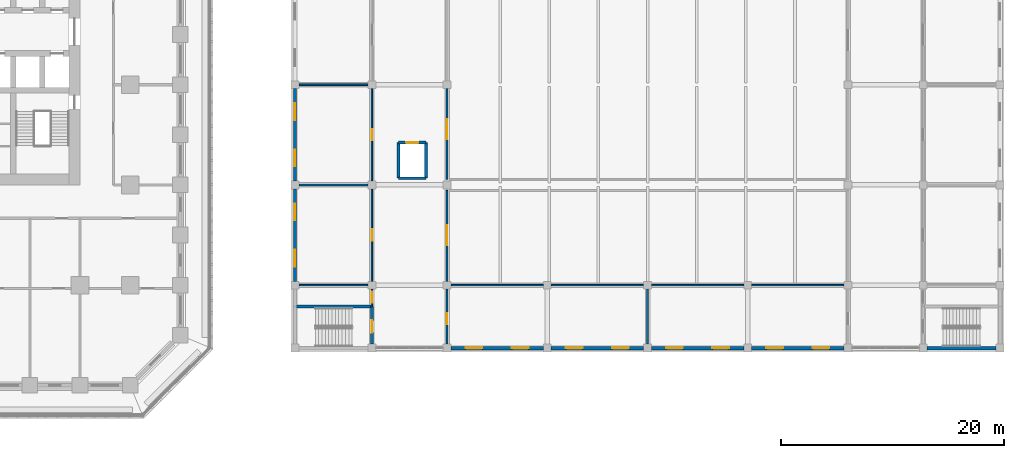
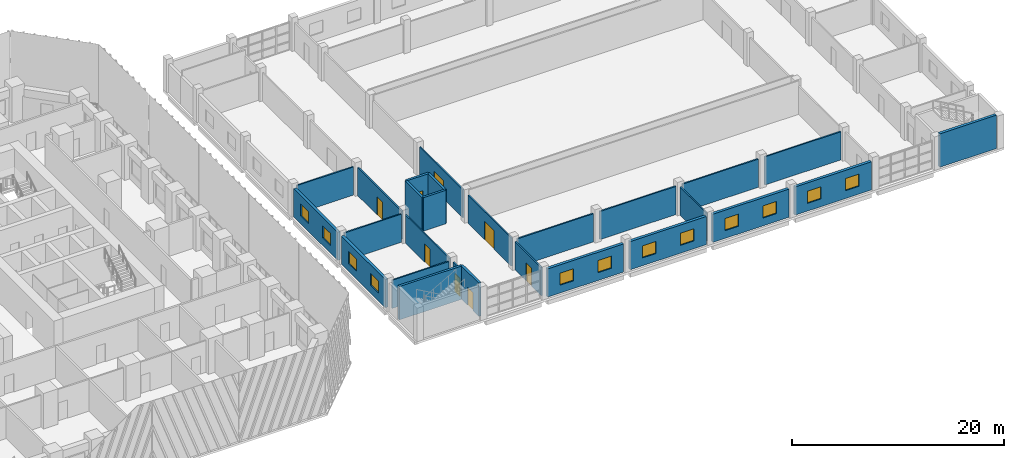
# One storey, part 17 of 31: 27 walls, 12 windows, 8 doors, 20 openings.
"""IFC4 building model written with IfcOpenShell, lengths in metres."""

from ifc_helpers import new_model, si_unit, direction, frame, frame_2d, origin, place, context, subcontext, project, spatial, rectangle, extrude, material, layer, layer_set, type_object, element, fill, save


model = new_model("IFC4")

# Units and contexts
model_context = context("Model", 3, precision=1e-05, world=origin(), true_north=direction((0.0, 1.0)))
body_context = subcontext(model_context, "Body", "Model", "MODEL_VIEW")
ifc_project = project(units=[si_unit("LENGTHUNIT", "METRE"), si_unit("AREAUNIT", "SQUARE_METRE"), si_unit("VOLUMEUNIT", "CUBIC_METRE"), si_unit("PLANEANGLEUNIT", "RADIAN"), si_unit("MASSUNIT", "GRAM", prefix="KILO")], contexts=[model_context])

# Site, building, storey
site_placement = place(None, origin())
site = spatial("IfcSite", under=ifc_project, at=site_placement, CompositionType="ELEMENT")
building_placement = place(site_placement, origin())
building = spatial("IfcBuilding", under=site, at=building_placement, Name="Corbel Stack Research Tower", CompositionType="ELEMENT")
storey_placement = place(building_placement, frame((0.0, 0.0, 15.39990234375)))
storey = spatial("IfcBuildingStorey", under=building, at=storey_placement, Name="L03", CompositionType="ELEMENT", Elevation=15.39990234375)

# Wall, openings, windows
ifc_material_1 = material(Name="Concrete C40/50", Category="concrete")
ifc_layer_1 = layer(ifc_material_1, 0.300048828125)
ifc_layer_set_1 = layer_set([ifc_layer_1], Name="Concrete C40/50")
wall_type_1 = type_object("IfcWallType", Name="HW1 exterior wall 300", PredefinedType="SOLIDWALL", material=ifc_layer_set_1)
wall_1_placement = place(storey_placement, frame((51.300048828125, -23.64990234375, 0.0), z_axis=(0.0, 0.0, 1.0), x_axis=(1.0, 0.0, 0.0)))
wall_1 = element("IfcWall", 1, at=wall_1_placement, inside=storey, type_object=wall_type_1, Name="Exterior wall L03 h-23.65/51.3", PredefinedType="SOLIDWALL", context=body_context, shape_type="SweptSolid", body=[
    extrude(rectangle(XDim=8.300048828125, YDim=0.300048828125, at=frame_2d((4.14990234375, 0.0))), origin(), (0.0, 0.0, 1.0), 3.25),
])
opening_1_placement = place(wall_1_placement, frame((1.324951171875, 0.0, 0.89990234375)))
opening_1 = element("IfcOpeningElement", 2, at=opening_1_placement, cuts=wall_1, Name="Opening HX1", PredefinedType="OPENING", context=body_context, shape_type="SweptSolid", body=[
    extrude(rectangle(XDim=1.5, YDim=1.39990234375, at=frame_2d((0.75, 0.699951171875))), frame((0.0, 0.159912109375, 0.0), z_axis=(0.0, -1.0, 0.0), x_axis=(1.0, 0.0, 0.0)), (0.0, 0.0, 1.0), 0.320068359375),
])
opening_2_placement = place(wall_1_placement, frame((5.47509765625, 0.0, 0.89990234375)))
opening_2 = element("IfcOpeningElement", 3, at=opening_2_placement, cuts=wall_1, Name="Opening HX1", PredefinedType="OPENING", context=body_context, shape_type="SweptSolid", body=[
    extrude(rectangle(XDim=1.5, YDim=1.39990234375, at=frame_2d((0.75, 0.699951171875))), frame((0.0, 0.159912109375, 0.0), z_axis=(0.0, -1.0, 0.0), x_axis=(1.0, 0.0, 0.0)), (0.0, 0.0, 1.0), 0.320068359375),
])
ifc_material_2 = material(Name="Glass and aluminium", Category="aluminium")
window_type = type_object("IfcWindowType", Name="HW6 window 1500 x 1400", PartitioningType="SINGLE_PANEL", PredefinedType="WINDOW", material=ifc_material_2)
window_1_placement = place(opening_1_placement, origin())
window_1 = element("IfcWindow", 4, at=window_1_placement, inside=storey, type_object=window_type, Name="Window L03 Office 9", OverallHeight=1.39990234375, OverallWidth=1.5, PartitioningType="SINGLE_PANEL", PredefinedType="WINDOW", context=body_context, shape_type="SweptSolid", body=[
    extrude(rectangle(XDim=1.5, YDim=1.39990234375, at=frame_2d((0.75, 0.699951171875))), frame((0.0, 0.030029296875, 0.0), z_axis=(0.0, -1.0, 0.0), x_axis=(1.0, 0.0, 0.0)), (0.0, 0.0, 1.0), 0.06005859375),
])
fill(opening_1, window_1)
window_2_placement = place(opening_2_placement, origin())
window_2 = element("IfcWindow", 5, at=window_2_placement, inside=storey, type_object=window_type, Name="Window L03 Office 9", OverallHeight=1.39990234375, OverallWidth=1.5, PartitioningType="SINGLE_PANEL", PredefinedType="WINDOW", context=body_context, shape_type="SweptSolid", body=[
    extrude(rectangle(XDim=1.5, YDim=1.39990234375, at=frame_2d((0.75, 0.699951171875))), frame((0.0, 0.030029296875, 0.0), z_axis=(0.0, -1.0, 0.0), x_axis=(1.0, 0.0, 0.0)), (0.0, 0.0, 1.0), 0.06005859375),
])
fill(opening_2, window_2)

wall_2_placement = place(storey_placement, frame((60.300048828125, -23.64990234375, 0.0), z_axis=(0.0, 0.0, 1.0), x_axis=(1.0, 0.0, 0.0)))
wall_2 = element("IfcWall", 6, at=wall_2_placement, inside=storey, type_object=wall_type_1, Name="Exterior wall L03 h-23.65/60.3", PredefinedType="SOLIDWALL", context=body_context, shape_type="SweptSolid", body=[
    extrude(rectangle(XDim=8.300048828125, YDim=0.300048828125, at=frame_2d((4.14990234375, 0.0))), origin(), (0.0, 0.0, 1.0), 3.25),
])
opening_3_placement = place(wall_2_placement, frame((1.324951171875, 0.0, 0.89990234375)))
opening_3 = element("IfcOpeningElement", 7, at=opening_3_placement, cuts=wall_2, Name="Opening HX1", PredefinedType="OPENING", context=body_context, shape_type="SweptSolid", body=[
    extrude(rectangle(XDim=1.5, YDim=1.39990234375, at=frame_2d((0.75, 0.699951171875))), frame((0.0, 0.159912109375, 0.0), z_axis=(0.0, -1.0, 0.0), x_axis=(1.0, 0.0, 0.0)), (0.0, 0.0, 1.0), 0.320068359375),
])
opening_4_placement = place(wall_2_placement, frame((5.47509765625, 0.0, 0.89990234375)))
opening_4 = element("IfcOpeningElement", 8, at=opening_4_placement, cuts=wall_2, Name="Opening HX1", PredefinedType="OPENING", context=body_context, shape_type="SweptSolid", body=[
    extrude(rectangle(XDim=1.5, YDim=1.39990234375, at=frame_2d((0.75, 0.699951171875))), frame((0.0, 0.159912109375, 0.0), z_axis=(0.0, -1.0, 0.0), x_axis=(1.0, 0.0, 0.0)), (0.0, 0.0, 1.0), 0.320068359375),
])
window_3_placement = place(opening_3_placement, origin())
window_3 = element("IfcWindow", 9, at=window_3_placement, inside=storey, type_object=window_type, Name="Window L03 Office 9", OverallHeight=1.39990234375, OverallWidth=1.5, PartitioningType="SINGLE_PANEL", PredefinedType="WINDOW", context=body_context, shape_type="SweptSolid", body=[
    extrude(rectangle(XDim=1.5, YDim=1.39990234375, at=frame_2d((0.75, 0.699951171875))), frame((0.0, 0.030029296875, 0.0), z_axis=(0.0, -1.0, 0.0), x_axis=(1.0, 0.0, 0.0)), (0.0, 0.0, 1.0), 0.06005859375),
])
fill(opening_3, window_3)
window_4_placement = place(opening_4_placement, origin())
window_4 = element("IfcWindow", 10, at=window_4_placement, inside=storey, type_object=window_type, Name="Window L03 Office 9", OverallHeight=1.39990234375, OverallWidth=1.5, PartitioningType="SINGLE_PANEL", PredefinedType="WINDOW", context=body_context, shape_type="SweptSolid", body=[
    extrude(rectangle(XDim=1.5, YDim=1.39990234375, at=frame_2d((0.75, 0.699951171875))), frame((0.0, 0.030029296875, 0.0), z_axis=(0.0, -1.0, 0.0), x_axis=(1.0, 0.0, 0.0)), (0.0, 0.0, 1.0), 0.06005859375),
])
fill(opening_4, window_4)

wall_3_placement = place(storey_placement, frame((69.300048828125, -23.64990234375, 0.0), z_axis=(0.0, 0.0, 1.0), x_axis=(1.0, 0.0, 0.0)))
wall_3 = element("IfcWall", 11, at=wall_3_placement, inside=storey, type_object=wall_type_1, Name="Exterior wall L03 h-23.65/69.3", PredefinedType="SOLIDWALL", context=body_context, shape_type="SweptSolid", body=[
    extrude(rectangle(XDim=8.300048828125, YDim=0.300048828125, at=frame_2d((4.14990234375, 0.0))), origin(), (0.0, 0.0, 1.0), 3.25),
])
opening_5_placement = place(wall_3_placement, frame((1.324951171875, 0.0, 0.89990234375)))
opening_5 = element("IfcOpeningElement", 12, at=opening_5_placement, cuts=wall_3, Name="Opening HX1", PredefinedType="OPENING", context=body_context, shape_type="SweptSolid", body=[
    extrude(rectangle(XDim=1.5, YDim=1.39990234375, at=frame_2d((0.75, 0.699951171875))), frame((0.0, 0.159912109375, 0.0), z_axis=(0.0, -1.0, 0.0), x_axis=(1.0, 0.0, 0.0)), (0.0, 0.0, 1.0), 0.320068359375),
])
opening_6_placement = place(wall_3_placement, frame((5.47509765625, 0.0, 0.89990234375)))
opening_6 = element("IfcOpeningElement", 13, at=opening_6_placement, cuts=wall_3, Name="Opening HX1", PredefinedType="OPENING", context=body_context, shape_type="SweptSolid", body=[
    extrude(rectangle(XDim=1.5, YDim=1.39990234375, at=frame_2d((0.75, 0.699951171875))), frame((0.0, 0.159912109375, 0.0), z_axis=(0.0, -1.0, 0.0), x_axis=(1.0, 0.0, 0.0)), (0.0, 0.0, 1.0), 0.320068359375),
])
window_5_placement = place(opening_5_placement, origin())
window_5 = element("IfcWindow", 14, at=window_5_placement, inside=storey, type_object=window_type, Name="Window L03 Meeting room 3", OverallHeight=1.39990234375, OverallWidth=1.5, PartitioningType="SINGLE_PANEL", PredefinedType="WINDOW", context=body_context, shape_type="SweptSolid", body=[
    extrude(rectangle(XDim=1.5, YDim=1.39990234375, at=frame_2d((0.75, 0.699951171875))), frame((0.0, 0.030029296875, 0.0), z_axis=(0.0, -1.0, 0.0), x_axis=(1.0, 0.0, 0.0)), (0.0, 0.0, 1.0), 0.06005859375),
])
fill(opening_5, window_5)
window_6_placement = place(opening_6_placement, origin())
window_6 = element("IfcWindow", 15, at=window_6_placement, inside=storey, type_object=window_type, Name="Window L03 Meeting room 3", OverallHeight=1.39990234375, OverallWidth=1.5, PartitioningType="SINGLE_PANEL", PredefinedType="WINDOW", context=body_context, shape_type="SweptSolid", body=[
    extrude(rectangle(XDim=1.5, YDim=1.39990234375, at=frame_2d((0.75, 0.699951171875))), frame((0.0, 0.030029296875, 0.0), z_axis=(0.0, -1.0, 0.0), x_axis=(1.0, 0.0, 0.0)), (0.0, 0.0, 1.0), 0.06005859375),
])
fill(opening_6, window_6)

wall_4_placement = place(storey_placement, frame((78.300048828125, -23.64990234375, 0.0), z_axis=(0.0, 0.0, 1.0), x_axis=(1.0, 0.0, 0.0)))
wall_4 = element("IfcWall", 16, at=wall_4_placement, inside=storey, type_object=wall_type_1, Name="Exterior wall L03 h-23.65/78.3", PredefinedType="SOLIDWALL", context=body_context, shape_type="SweptSolid", body=[
    extrude(rectangle(XDim=8.300048828125, YDim=0.300048828125, at=frame_2d((4.14990234375, 0.0))), origin(), (0.0, 0.0, 1.0), 3.25),
])
opening_7_placement = place(wall_4_placement, frame((1.324951171875, 0.0, 0.89990234375)))
opening_7 = element("IfcOpeningElement", 17, at=opening_7_placement, cuts=wall_4, Name="Opening HX1", PredefinedType="OPENING", context=body_context, shape_type="SweptSolid", body=[
    extrude(rectangle(XDim=1.5, YDim=1.39990234375, at=frame_2d((0.75, 0.699951171875))), frame((0.0, 0.159912109375, 0.0), z_axis=(0.0, -1.0, 0.0), x_axis=(1.0, 0.0, 0.0)), (0.0, 0.0, 1.0), 0.320068359375),
])
opening_8_placement = place(wall_4_placement, frame((5.47509765625, 0.0, 0.89990234375)))
opening_8 = element("IfcOpeningElement", 18, at=opening_8_placement, cuts=wall_4, Name="Opening HX1", PredefinedType="OPENING", context=body_context, shape_type="SweptSolid", body=[
    extrude(rectangle(XDim=1.5, YDim=1.39990234375, at=frame_2d((0.75, 0.699951171875))), frame((0.0, 0.159912109375, 0.0), z_axis=(0.0, -1.0, 0.0), x_axis=(1.0, 0.0, 0.0)), (0.0, 0.0, 1.0), 0.320068359375),
])
window_7_placement = place(opening_7_placement, origin())
window_7 = element("IfcWindow", 19, at=window_7_placement, inside=storey, type_object=window_type, Name="Window L03 Meeting room 3", OverallHeight=1.39990234375, OverallWidth=1.5, PartitioningType="SINGLE_PANEL", PredefinedType="WINDOW", context=body_context, shape_type="SweptSolid", body=[
    extrude(rectangle(XDim=1.5, YDim=1.39990234375, at=frame_2d((0.75, 0.699951171875))), frame((0.0, 0.030029296875, 0.0), z_axis=(0.0, -1.0, 0.0), x_axis=(1.0, 0.0, 0.0)), (0.0, 0.0, 1.0), 0.06005859375),
])
fill(opening_7, window_7)
window_8_placement = place(opening_8_placement, origin())
window_8 = element("IfcWindow", 20, at=window_8_placement, inside=storey, type_object=window_type, Name="Window L03 Meeting room 3", OverallHeight=1.39990234375, OverallWidth=1.5, PartitioningType="SINGLE_PANEL", PredefinedType="WINDOW", context=body_context, shape_type="SweptSolid", body=[
    extrude(rectangle(XDim=1.5, YDim=1.39990234375, at=frame_2d((0.75, 0.699951171875))), frame((0.0, 0.030029296875, 0.0), z_axis=(0.0, -1.0, 0.0), x_axis=(1.0, 0.0, 0.0)), (0.0, 0.0, 1.0), 0.06005859375),
])
fill(opening_8, window_8)

wall_5_placement = place(storey_placement, frame((37.300048828125, -17.64990234375, 0.0), z_axis=(0.0, 0.0, 1.0), x_axis=(0.0, 1.0, 0.0)))
wall_5 = element("IfcWall", 21, at=wall_5_placement, inside=storey, type_object=wall_type_1, Name="Exterior wall L03 v37.30/-17.6", PredefinedType="SOLIDWALL", context=body_context, shape_type="SweptSolid", body=[
    extrude(rectangle(XDim=8.2998046875, YDim=0.300048828125, at=frame_2d((4.14990234375, 0.0))), origin(), (0.0, 0.0, 1.0), 3.25),
])
opening_9_placement = place(wall_5_placement, frame((1.324951171875, 0.0, 0.89990234375)))
opening_9 = element("IfcOpeningElement", 22, at=opening_9_placement, cuts=wall_5, Name="Opening HX1", PredefinedType="OPENING", context=body_context, shape_type="SweptSolid", body=[
    extrude(rectangle(XDim=1.5, YDim=1.39990234375, at=frame_2d((0.75, 0.699951171875))), frame((0.0, 0.159912109375, 0.0), z_axis=(0.0, -1.0, 0.0), x_axis=(1.0, 0.0, 0.0)), (0.0, 0.0, 1.0), 0.320068359375),
])
opening_10_placement = place(wall_5_placement, frame((5.47509765625, 0.0, 0.89990234375)))
opening_10 = element("IfcOpeningElement", 23, at=opening_10_placement, cuts=wall_5, Name="Opening HX1", PredefinedType="OPENING", context=body_context, shape_type="SweptSolid", body=[
    extrude(rectangle(XDim=1.5, YDim=1.39990234375, at=frame_2d((0.75, 0.699951171875))), frame((0.0, 0.159912109375, 0.0), z_axis=(0.0, -1.0, 0.0), x_axis=(1.0, 0.0, 0.0)), (0.0, 0.0, 1.0), 0.320068359375),
])
window_9_placement = place(opening_9_placement, origin())
window_9 = element("IfcWindow", 24, at=window_9_placement, inside=storey, type_object=window_type, Name="Window L03 Office 5", OverallHeight=1.39990234375, OverallWidth=1.5, PartitioningType="SINGLE_PANEL", PredefinedType="WINDOW", context=body_context, shape_type="SweptSolid", body=[
    extrude(rectangle(XDim=1.5, YDim=1.39990234375, at=frame_2d((0.75, 0.699951171875))), frame((0.0, 0.030029296875, 0.0), z_axis=(0.0, -1.0, 0.0), x_axis=(1.0, 0.0, 0.0)), (0.0, 0.0, 1.0), 0.06005859375),
])
fill(opening_9, window_9)
window_10_placement = place(opening_10_placement, origin())
window_10 = element("IfcWindow", 25, at=window_10_placement, inside=storey, type_object=window_type, Name="Window L03 Office 5", OverallHeight=1.39990234375, OverallWidth=1.5, PartitioningType="SINGLE_PANEL", PredefinedType="WINDOW", context=body_context, shape_type="SweptSolid", body=[
    extrude(rectangle(XDim=1.5, YDim=1.39990234375, at=frame_2d((0.75, 0.699951171875))), frame((0.0, 0.030029296875, 0.0), z_axis=(0.0, -1.0, 0.0), x_axis=(1.0, 0.0, 0.0)), (0.0, 0.0, 1.0), 0.06005859375),
])
fill(opening_10, window_10)

wall_6_placement = place(storey_placement, frame((37.300048828125, -8.64990234375, 0.0), z_axis=(0.0, 0.0, 1.0), x_axis=(0.0, 1.0, 0.0)))
wall_6 = element("IfcWall", 26, at=wall_6_placement, inside=storey, type_object=wall_type_1, Name="Exterior wall L03 v37.30/-8.7", PredefinedType="SOLIDWALL", context=body_context, shape_type="SweptSolid", body=[
    extrude(rectangle(XDim=8.2998046875, YDim=0.300048828125, at=frame_2d((4.14990234375, 0.0))), origin(), (0.0, 0.0, 1.0), 3.25),
])
opening_11_placement = place(wall_6_placement, frame((1.324951171875, 0.0, 0.89990234375)))
opening_11 = element("IfcOpeningElement", 27, at=opening_11_placement, cuts=wall_6, Name="Opening HX1", PredefinedType="OPENING", context=body_context, shape_type="SweptSolid", body=[
    extrude(rectangle(XDim=1.5, YDim=1.39990234375, at=frame_2d((0.75, 0.699951171875))), frame((0.0, 0.159912109375, 0.0), z_axis=(0.0, -1.0, 0.0), x_axis=(1.0, 0.0, 0.0)), (0.0, 0.0, 1.0), 0.320068359375),
])
opening_12_placement = place(wall_6_placement, frame((5.47509765625, 0.0, 0.89990234375)))
opening_12 = element("IfcOpeningElement", 28, at=opening_12_placement, cuts=wall_6, Name="Opening HX1", PredefinedType="OPENING", context=body_context, shape_type="SweptSolid", body=[
    extrude(rectangle(XDim=1.5, YDim=1.39990234375, at=frame_2d((0.75, 0.699951171875))), frame((0.0, 0.159912109375, 0.0), z_axis=(0.0, -1.0, 0.0), x_axis=(1.0, 0.0, 0.0)), (0.0, 0.0, 1.0), 0.320068359375),
])
window_11_placement = place(opening_11_placement, origin())
window_11 = element("IfcWindow", 29, at=window_11_placement, inside=storey, type_object=window_type, Name="Window L03 Office 6", OverallHeight=1.39990234375, OverallWidth=1.5, PartitioningType="SINGLE_PANEL", PredefinedType="WINDOW", context=body_context, shape_type="SweptSolid", body=[
    extrude(rectangle(XDim=1.5, YDim=1.39990234375, at=frame_2d((0.75, 0.699951171875))), frame((0.0, 0.030029296875, 0.0), z_axis=(0.0, -1.0, 0.0), x_axis=(1.0, 0.0, 0.0)), (0.0, 0.0, 1.0), 0.06005859375),
])
fill(opening_11, window_11)
window_12_placement = place(opening_12_placement, origin())
window_12 = element("IfcWindow", 30, at=window_12_placement, inside=storey, type_object=window_type, Name="Window L03 Office 6", OverallHeight=1.39990234375, OverallWidth=1.5, PartitioningType="SINGLE_PANEL", PredefinedType="WINDOW", context=body_context, shape_type="SweptSolid", body=[
    extrude(rectangle(XDim=1.5, YDim=1.39990234375, at=frame_2d((0.75, 0.699951171875))), frame((0.0, 0.030029296875, 0.0), z_axis=(0.0, -1.0, 0.0), x_axis=(1.0, 0.0, 0.0)), (0.0, 0.0, 1.0), 0.06005859375),
])
fill(opening_12, window_12)

# Walls
ifc_material_3 = material(Name="Concrete C40/50", Category="concrete")
ifc_layer_2 = layer(ifc_material_3, 0.25)
ifc_layer_set_2 = layer_set([ifc_layer_2], Name="Concrete C40/50")
wall_type_2 = type_object("IfcWallType", Name="HW2 core wall C40/50 250", PredefinedType="SHEAR", material=ifc_layer_set_2)
wall_7_placement = place(storey_placement, frame((37.300048828125, -19.925048828125, 0.0), z_axis=(0.0, 0.0, 1.0), x_axis=(1.0, 0.0, 0.0)))
element("IfcWall", 31, at=wall_7_placement, inside=storey, type_object=wall_type_2, Name="Wall L03 h-19.93/37.3", PredefinedType="SHEAR", context=body_context, shape_type="SweptSolid", body=[
    extrude(rectangle(XDim=6.89990234375, YDim=0.25, at=frame_2d((3.449951171875, 0.0))), origin(), (0.0, 0.0, 1.0), 3.85009765625),
])
wall_8_placement = place(storey_placement, frame((46.60009765625, -8.39990234375, 0.0), z_axis=(0.0, 0.0, 1.0), x_axis=(1.0, 0.0, 0.0)))
element("IfcWall", 32, at=wall_8_placement, inside=storey, type_object=wall_type_2, Name="Wall L03 h-8.40/46.6", PredefinedType="SHEAR", context=body_context, shape_type="SweptSolid", body=[
    extrude(rectangle(XDim=2.449951171875, YDim=0.25, at=frame_2d((1.22509765625, 0.0))), origin(), (0.0, 0.0, 1.0), 3.85009765625),
])

# Wall, opening, door
wall_9_placement = place(storey_placement, frame((46.60009765625, -5.199951171875, 0.0), z_axis=(0.0, 0.0, 1.0), x_axis=(1.0, 0.0, 0.0)))
wall_9 = element("IfcWall", 33, at=wall_9_placement, inside=storey, type_object=wall_type_2, Name="Wall L03 h-5.20/46.6", PredefinedType="SHEAR", context=body_context, shape_type="SweptSolid", body=[
    extrude(rectangle(XDim=2.449951171875, YDim=0.25, at=frame_2d((1.22509765625, 0.0))), origin(), (0.0, 0.0, 1.0), 3.85009765625),
])
opening_13_placement = place(wall_9_placement, frame((0.675048828125, 0.0, 0.0)))
opening_13 = element("IfcOpeningElement", 34, at=opening_13_placement, cuts=wall_9, Name="Opening H3-01", PredefinedType="OPENING", context=body_context, shape_type="SweptSolid", body=[
    extrude(rectangle(XDim=1.10009765625, YDim=2.10009765625, at=frame_2d((0.550048828125, 1.050048828125))), frame((0.0, 0.135009765625, 0.0), z_axis=(0.0, -1.0, 0.0), x_axis=(1.0, 0.0, 0.0)), (0.0, 0.0, 1.0), 0.27001953125),
])
ifc_material_4 = material(Name="Timber", Category="wood")
door_type_1 = type_object("IfcDoorType", Name="HD5 lift landing door 1100 x 2100", OperationType="DOUBLE_DOOR_SLIDING", PredefinedType="DOOR", material=ifc_material_4)
door_1_placement = place(opening_13_placement, origin())
door_1 = element("IfcDoor", 35, at=door_1_placement, inside=storey, type_object=door_type_1, Name="Lift landing door H3-01", OperationType="DOUBLE_DOOR_SLIDING", OverallHeight=2.10009765625, OverallWidth=1.10009765625, PredefinedType="DOOR", context=body_context, shape_type="SweptSolid", body=[
    extrude(rectangle(XDim=1.10009765625, YDim=2.10009765625, at=frame_2d((0.550048828125, 1.050048828125))), frame((0.0, 0.02490234375, 0.0), z_axis=(0.0, -1.0, 0.0), x_axis=(1.0, 0.0, 0.0)), (0.0, 0.0, 1.0), 0.050048828125),
])
fill(opening_13, door_1)

wall_10_placement = place(storey_placement, frame((44.199951171875, -19.925048828125, 0.0), z_axis=(0.0, 0.0, 1.0), x_axis=(0.0, -1.0, 0.0)))
wall_10 = element("IfcWall", 36, at=wall_10_placement, inside=storey, type_object=wall_type_2, Name="Wall L03 v44.20/-23.3", PredefinedType="SHEAR", context=body_context, shape_type="SweptSolid", body=[
    extrude(rectangle(XDim=3.375, YDim=0.25, at=frame_2d((1.6875, 0.0))), origin(), (0.0, 0.0, 1.0), 3.85009765625),
])
opening_14_placement = place(wall_10_placement, frame((1.22509765625, 0.0, 0.0)))
opening_14 = element("IfcOpeningElement", 37, at=opening_14_placement, cuts=wall_10, Name="Opening H3-02", PredefinedType="OPENING", context=body_context, shape_type="SweptSolid", body=[
    extrude(rectangle(XDim=1.10009765625, YDim=2.10009765625, at=frame_2d((0.550048828125, 1.050048828125))), frame((0.0, 0.135009765625, 0.0), z_axis=(0.0, -1.0, 0.0), x_axis=(1.0, 0.0, 0.0)), (0.0, 0.0, 1.0), 0.27001953125),
])
ifc_material_5 = material(Name="Steel", Category="steel")
door_type_2 = type_object("IfcDoorType", Name="HD4 fire door 1100 x 2100", OperationType="NOTDEFINED", PredefinedType="DOOR", material=ifc_material_5)
door_2_placement = place(opening_14_placement, origin())
door_2 = element("IfcDoor", 38, at=door_2_placement, inside=storey, type_object=door_type_2, Name="Door H3-02", OperationType="SINGLE_SWING_RIGHT", OverallHeight=2.10009765625, OverallWidth=1.10009765625, PredefinedType="DOOR", context=body_context, shape_type="SweptSolid", body=[
    extrude(rectangle(XDim=1.10009765625, YDim=2.10009765625, at=frame_2d((0.550048828125, 1.050048828125))), frame((0.0, 0.02490234375, 0.0), z_axis=(0.0, -1.0, 0.0), x_axis=(1.0, 0.0, 0.0)), (0.0, 0.0, 1.0), 0.050048828125),
])
fill(opening_14, door_2)

# Walls
for number, where, z_axis, x_axis, name in (
    (39, (46.60009765625, -8.39990234375, 0.0), (0.0, 0.0, 1.0), (0.0, 1.0, 0.0), "Wall L03 v46.60/-8.4"),
    (40, (49.050048828125, -8.39990234375, 0.0), (0.0, 0.0, 1.0), (0.0, 1.0, 0.0), "Wall L03 v49.05/-8.4"),
):
    element("IfcWall", number, at=place(storey_placement, frame(where, z_axis=z_axis, x_axis=x_axis)), inside=storey, type_object=wall_type_2, Name=name, PredefinedType="SHEAR", context=body_context, shape_type="SweptSolid", body=[
        extrude(rectangle(XDim=3.199951171875, YDim=0.25, at=frame_2d((1.60009765625, 0.0))), origin(), (0.0, 0.0, 1.0), 3.85009765625),
    ])
ifc_material_6 = material(Name="Concrete masonry unit", Category="masonry")
ifc_layer_3 = layer(ifc_material_6, 0.14990234375)
ifc_layer_set_3 = layer_set([ifc_layer_3], Name="Concrete masonry unit")
wall_type_3 = type_object("IfcWallType", Name="HW3 partition 150", PredefinedType="PARTITIONING", material=ifc_layer_set_3)
wall_11_placement = place(storey_placement, frame((37.64990234375, -18.0, 0.0), z_axis=(0.0, 0.0, 1.0), x_axis=(1.0, 0.0, 0.0)))
element("IfcWall", 41, at=wall_11_placement, inside=storey, type_object=wall_type_3, Name="Wall L03 h-18.00/37.6", PredefinedType="PARTITIONING", context=body_context, shape_type="SweptSolid", body=[
    extrude(rectangle(XDim=6.2001953125, YDim=0.14990234375, at=frame_2d((3.10009765625, 0.0))), origin(), (0.0, 0.0, 1.0), 3.25),
])
for number, where, z_axis, x_axis, name in (
    (42, (51.300048828125, -18.0, 0.0), (0.0, 0.0, 1.0), (1.0, 0.0, 0.0), "Wall L03 h-18.00/51.3"),
    (43, (60.300048828125, -18.0, 0.0), (0.0, 0.0, 1.0), (1.0, 0.0, 0.0), "Wall L03 h-18.00/60.3"),
    (44, (69.300048828125, -18.0, 0.0), (0.0, 0.0, 1.0), (1.0, 0.0, 0.0), "Wall L03 h-18.00/69.3"),
    (45, (78.300048828125, -18.0, 0.0), (0.0, 0.0, 1.0), (1.0, 0.0, 0.0), "Wall L03 h-18.00/78.3"),
):
    element("IfcWall", number, at=place(storey_placement, frame(where, z_axis=z_axis, x_axis=x_axis)), inside=storey, type_object=wall_type_3, Name=name, PredefinedType="PARTITIONING", context=body_context, shape_type="SweptSolid", body=[
        extrude(rectangle(XDim=8.300048828125, YDim=0.14990234375, at=frame_2d((4.14990234375, 0.0))), origin(), (0.0, 0.0, 1.0), 3.25),
    ])
for number, where, z_axis, x_axis, name in (
    (46, (37.64990234375, -9.0, 0.0), (0.0, 0.0, 1.0), (1.0, 0.0, 0.0), "Wall L03 h-9.00/37.6"),
    (47, (37.64990234375, 0.0, 0.0), (0.0, 0.0, 1.0), (1.0, 0.0, 0.0), "Wall L03 h0.00/37.6"),
):
    element("IfcWall", number, at=place(storey_placement, frame(where, z_axis=z_axis, x_axis=x_axis)), inside=storey, type_object=wall_type_3, Name=name, PredefinedType="PARTITIONING", context=body_context, shape_type="SweptSolid", body=[
        extrude(rectangle(XDim=6.2001953125, YDim=0.14990234375, at=frame_2d((3.10009765625, 0.0))), origin(), (0.0, 0.0, 1.0), 3.25),
    ])

# Wall, opening, door
wall_12_placement = place(storey_placement, frame((44.199951171875, -19.925048828125, 0.0), z_axis=(0.0, 0.0, 1.0), x_axis=(0.0, 1.0, 0.0)))
wall_12 = element("IfcWall", 48, at=wall_12_placement, inside=storey, type_object=wall_type_3, Name="Wall L03 v44.20/-19.9", PredefinedType="PARTITIONING", context=body_context, shape_type="SweptSolid", body=[
    extrude(rectangle(XDim=1.574951171875, YDim=0.14990234375, at=frame_2d((0.78759765625, 0.0))), origin(), (0.0, 0.0, 1.0), 3.25),
])
opening_15_placement = place(wall_12_placement, frame((0.324951171875, 0.0, 0.0)))
opening_15 = element("IfcOpeningElement", 49, at=opening_15_placement, cuts=wall_12, Name="Opening H3-03", PredefinedType="OPENING", context=body_context, shape_type="SweptSolid", body=[
    extrude(rectangle(XDim=1.0, YDim=2.10009765625, at=frame_2d((0.5, 1.050048828125))), frame((0.0, 0.0849609375, 0.0), z_axis=(0.0, -1.0, 0.0), x_axis=(1.0, 0.0, 0.0)), (0.0, 0.0, 1.0), 0.169921875),
])
ifc_material_7 = material(Name="Timber", Category="wood")
door_type_3 = type_object("IfcDoorType", Name="HD1 single door 1000 x 2100", OperationType="NOTDEFINED", PredefinedType="DOOR", material=ifc_material_7)
door_3_placement = place(opening_15_placement, origin())
door_3 = element("IfcDoor", 50, at=door_3_placement, inside=storey, type_object=door_type_3, Name="Door H3-03", OperationType="SINGLE_SWING_LEFT", OverallHeight=2.10009765625, OverallWidth=1.0, PredefinedType="DOOR", context=body_context, shape_type="SweptSolid", body=[
    extrude(rectangle(XDim=1.0, YDim=2.10009765625, at=frame_2d((0.5, 1.050048828125))), frame((0.0, 0.02490234375, 0.0), z_axis=(0.0, -1.0, 0.0), x_axis=(1.0, 0.0, 0.0)), (0.0, 0.0, 1.0), 0.050048828125),
])
fill(opening_15, door_3)

wall_13_placement = place(storey_placement, frame((44.199951171875, -17.64990234375, 0.0), z_axis=(0.0, 0.0, 1.0), x_axis=(0.0, 1.0, 0.0)))
wall_13 = element("IfcWall", 51, at=wall_13_placement, inside=storey, type_object=wall_type_3, Name="Wall L03 v44.20/-17.6", PredefinedType="PARTITIONING", context=body_context, shape_type="SweptSolid", body=[
    extrude(rectangle(XDim=8.2998046875, YDim=0.14990234375, at=frame_2d((4.14990234375, 0.0))), origin(), (0.0, 0.0, 1.0), 3.25),
])
opening_16_placement = place(wall_13_placement, frame((3.64990234375, 0.0, 0.0)))
opening_16 = element("IfcOpeningElement", 52, at=opening_16_placement, cuts=wall_13, Name="Opening H3-04", PredefinedType="OPENING", context=body_context, shape_type="SweptSolid", body=[
    extrude(rectangle(XDim=1.0, YDim=2.10009765625, at=frame_2d((0.5, 1.050048828125))), frame((0.0, 0.0849609375, 0.0), z_axis=(0.0, -1.0, 0.0), x_axis=(1.0, 0.0, 0.0)), (0.0, 0.0, 1.0), 0.169921875),
])
door_4_placement = place(opening_16_placement, origin())
door_4 = element("IfcDoor", 53, at=door_4_placement, inside=storey, type_object=door_type_3, Name="Door H3-04", OperationType="SINGLE_SWING_RIGHT", OverallHeight=2.10009765625, OverallWidth=1.0, PredefinedType="DOOR", context=body_context, shape_type="SweptSolid", body=[
    extrude(rectangle(XDim=1.0, YDim=2.10009765625, at=frame_2d((0.5, 1.050048828125))), frame((0.0, 0.02490234375, 0.0), z_axis=(0.0, -1.0, 0.0), x_axis=(1.0, 0.0, 0.0)), (0.0, 0.0, 1.0), 0.050048828125),
])
fill(opening_16, door_4)

wall_14_placement = place(storey_placement, frame((44.199951171875, -8.64990234375, 0.0), z_axis=(0.0, 0.0, 1.0), x_axis=(0.0, 1.0, 0.0)))
wall_14 = element("IfcWall", 54, at=wall_14_placement, inside=storey, type_object=wall_type_3, Name="Wall L03 v44.20/-8.7", PredefinedType="PARTITIONING", context=body_context, shape_type="SweptSolid", body=[
    extrude(rectangle(XDim=8.2998046875, YDim=0.14990234375, at=frame_2d((4.14990234375, 0.0))), origin(), (0.0, 0.0, 1.0), 3.25),
])
opening_17_placement = place(wall_14_placement, frame((3.64990234375, 0.0, 0.0)))
opening_17 = element("IfcOpeningElement", 55, at=opening_17_placement, cuts=wall_14, Name="Opening H3-05", PredefinedType="OPENING", context=body_context, shape_type="SweptSolid", body=[
    extrude(rectangle(XDim=1.0, YDim=2.10009765625, at=frame_2d((0.5, 1.050048828125))), frame((0.0, 0.0849609375, 0.0), z_axis=(0.0, -1.0, 0.0), x_axis=(1.0, 0.0, 0.0)), (0.0, 0.0, 1.0), 0.169921875),
])
door_5_placement = place(opening_17_placement, origin())
door_5 = element("IfcDoor", 56, at=door_5_placement, inside=storey, type_object=door_type_3, Name="Door H3-05", OperationType="SINGLE_SWING_LEFT", OverallHeight=2.10009765625, OverallWidth=1.0, PredefinedType="DOOR", context=body_context, shape_type="SweptSolid", body=[
    extrude(rectangle(XDim=1.0, YDim=2.10009765625, at=frame_2d((0.5, 1.050048828125))), frame((0.0, 0.02490234375, 0.0), z_axis=(0.0, -1.0, 0.0), x_axis=(1.0, 0.0, 0.0)), (0.0, 0.0, 1.0), 0.050048828125),
])
fill(opening_17, door_5)

wall_15_placement = place(storey_placement, frame((50.949951171875, -18.35009765625, 0.0), z_axis=(0.0, 0.0, 1.0), x_axis=(0.0, -1.0, 0.0)))
wall_15 = element("IfcWall", 57, at=wall_15_placement, inside=storey, type_object=wall_type_3, Name="Wall L03 v50.95/-23.3", PredefinedType="PARTITIONING", context=body_context, shape_type="SweptSolid", body=[
    extrude(rectangle(XDim=4.949951171875, YDim=0.14990234375, at=frame_2d((2.47509765625, 0.0))), origin(), (0.0, 0.0, 1.0), 3.25),
])
opening_18_placement = place(wall_15_placement, frame((2.14990234375, 0.0, 0.0)))
opening_18 = element("IfcOpeningElement", 58, at=opening_18_placement, cuts=wall_15, Name="Opening H3-09", PredefinedType="OPENING", context=body_context, shape_type="SweptSolid", body=[
    extrude(rectangle(XDim=1.0, YDim=2.10009765625, at=frame_2d((0.5, 1.050048828125))), frame((0.0, 0.0849609375, 0.0), z_axis=(0.0, -1.0, 0.0), x_axis=(1.0, 0.0, 0.0)), (0.0, 0.0, 1.0), 0.169921875),
])
door_6_placement = place(opening_18_placement, origin())
door_6 = element("IfcDoor", 59, at=door_6_placement, inside=storey, type_object=door_type_3, Name="Door H3-09", OperationType="SINGLE_SWING_LEFT", OverallHeight=2.10009765625, OverallWidth=1.0, PredefinedType="DOOR", context=body_context, shape_type="SweptSolid", body=[
    extrude(rectangle(XDim=1.0, YDim=2.10009765625, at=frame_2d((0.5, 1.050048828125))), frame((0.0, 0.02490234375, 0.0), z_axis=(0.0, -1.0, 0.0), x_axis=(1.0, 0.0, 0.0)), (0.0, 0.0, 1.0), 0.050048828125),
])
fill(opening_18, door_6)

wall_16_placement = place(storey_placement, frame((50.949951171875, -17.64990234375, 0.0), z_axis=(0.0, 0.0, 1.0), x_axis=(0.0, 1.0, 0.0)))
wall_16 = element("IfcWall", 60, at=wall_16_placement, inside=storey, type_object=wall_type_3, Name="Wall L03 v50.95/-17.6", PredefinedType="PARTITIONING", context=body_context, shape_type="SweptSolid", body=[
    extrude(rectangle(XDim=8.14990234375, YDim=0.14990234375, at=frame_2d((4.074951171875, 0.0))), origin(), (0.0, 0.0, 1.0), 3.25),
])
opening_19_placement = place(wall_16_placement, frame((3.25, 0.0, 0.0)))
opening_19 = element("IfcOpeningElement", 61, at=opening_19_placement, cuts=wall_16, Name="Opening H3-10", PredefinedType="OPENING", context=body_context, shape_type="SweptSolid", body=[
    extrude(rectangle(XDim=1.800048828125, YDim=2.10009765625, at=frame_2d((0.89990234375, 1.050048828125))), frame((0.0, 0.0849609375, 0.0), z_axis=(0.0, -1.0, 0.0), x_axis=(1.0, 0.0, 0.0)), (0.0, 0.0, 1.0), 0.169921875),
])
ifc_material_8 = material(Name="Timber", Category="wood")
door_type_4 = type_object("IfcDoorType", Name="HD2 double door 1800 x 2100", OperationType="DOUBLE_DOOR_SINGLE_SWING", PredefinedType="DOOR", material=ifc_material_8)
door_7_placement = place(opening_19_placement, origin())
door_7 = element("IfcDoor", 62, at=door_7_placement, inside=storey, type_object=door_type_4, Name="Door H3-10", OperationType="DOUBLE_DOOR_SINGLE_SWING", OverallHeight=2.10009765625, OverallWidth=1.800048828125, PredefinedType="DOOR", context=body_context, shape_type="SweptSolid", body=[
    extrude(rectangle(XDim=1.800048828125, YDim=2.10009765625, at=frame_2d((0.89990234375, 1.050048828125))), frame((0.0, 0.02490234375, 0.0), z_axis=(0.0, -1.0, 0.0), x_axis=(1.0, 0.0, 0.0)), (0.0, 0.0, 1.0), 0.050048828125),
])
fill(opening_19, door_7)

wall_17_placement = place(storey_placement, frame((50.949951171875, -8.5, 0.0), z_axis=(0.0, 0.0, 1.0), x_axis=(0.0, 1.0, 0.0)))
wall_17 = element("IfcWall", 63, at=wall_17_placement, inside=storey, type_object=wall_type_3, Name="Wall L03 v50.95/-8.5", PredefinedType="PARTITIONING", context=body_context, shape_type="SweptSolid", body=[
    extrude(rectangle(XDim=8.14990234375, YDim=0.14990234375, at=frame_2d((4.074951171875, 0.0))), origin(), (0.0, 0.0, 1.0), 3.25),
])
opening_20_placement = place(wall_17_placement, frame((3.60009765625, 0.0, 0.0)))
opening_20 = element("IfcOpeningElement", 64, at=opening_20_placement, cuts=wall_17, Name="Opening H3-11", PredefinedType="OPENING", context=body_context, shape_type="SweptSolid", body=[
    extrude(rectangle(XDim=1.800048828125, YDim=2.10009765625, at=frame_2d((0.89990234375, 1.050048828125))), frame((0.0, 0.0849609375, 0.0), z_axis=(0.0, -1.0, 0.0), x_axis=(1.0, 0.0, 0.0)), (0.0, 0.0, 1.0), 0.169921875),
])
door_8_placement = place(opening_20_placement, origin())
door_8 = element("IfcDoor", 65, at=door_8_placement, inside=storey, type_object=door_type_4, Name="Door H3-11", OperationType="DOUBLE_DOOR_SINGLE_SWING", OverallHeight=2.10009765625, OverallWidth=1.800048828125, PredefinedType="DOOR", context=body_context, shape_type="SweptSolid", body=[
    extrude(rectangle(XDim=1.800048828125, YDim=2.10009765625, at=frame_2d((0.89990234375, 1.050048828125))), frame((0.0, 0.02490234375, 0.0), z_axis=(0.0, -1.0, 0.0), x_axis=(1.0, 0.0, 0.0)), (0.0, 0.0, 1.0), 0.050048828125),
])
fill(opening_20, door_8)

# Walls
wall_18_placement = place(storey_placement, frame((68.949951171875, -23.300048828125, 0.0), z_axis=(0.0, 0.0, 1.0), x_axis=(0.0, 1.0, 0.0)))
element("IfcWall", 66, at=wall_18_placement, inside=storey, type_object=wall_type_3, Name="Wall L03 v68.95/-23.3", PredefinedType="PARTITIONING", context=body_context, shape_type="SweptSolid", body=[
    extrude(rectangle(XDim=4.949951171875, YDim=0.14990234375, at=frame_2d((2.47509765625, 0.0))), origin(), (0.0, 0.0, 1.0), 3.25),
])
ifc_material_9 = material(Name="Concrete C40/50", Category="concrete")
ifc_layer_4 = layer(ifc_material_9, 0.300048828125)
ifc_layer_set_4 = layer_set([ifc_layer_4], Name="Concrete C40/50")
wall_type_4 = type_object("IfcWallType", Name="HW6 exterior wall C40/50 300", PredefinedType="SHEAR", material=ifc_layer_set_4)
wall_19_placement = place(storey_placement, frame((94.050048828125, -23.64990234375, 0.0), z_axis=(0.0, 0.0, 1.0), x_axis=(1.0, 0.0, 0.0)))
element("IfcWall", 67, at=wall_19_placement, inside=storey, type_object=wall_type_4, Name="Exterior wall L03 h-23.65/94.0", PredefinedType="SHEAR", context=body_context, shape_type="SweptSolid", body=[
    extrude(rectangle(XDim=6.199951171875, YDim=0.300048828125, at=frame_2d((3.10009765625, 0.0))), origin(), (0.0, 0.0, 1.0), 3.85009765625),
])

save(model, "model.ifc")
